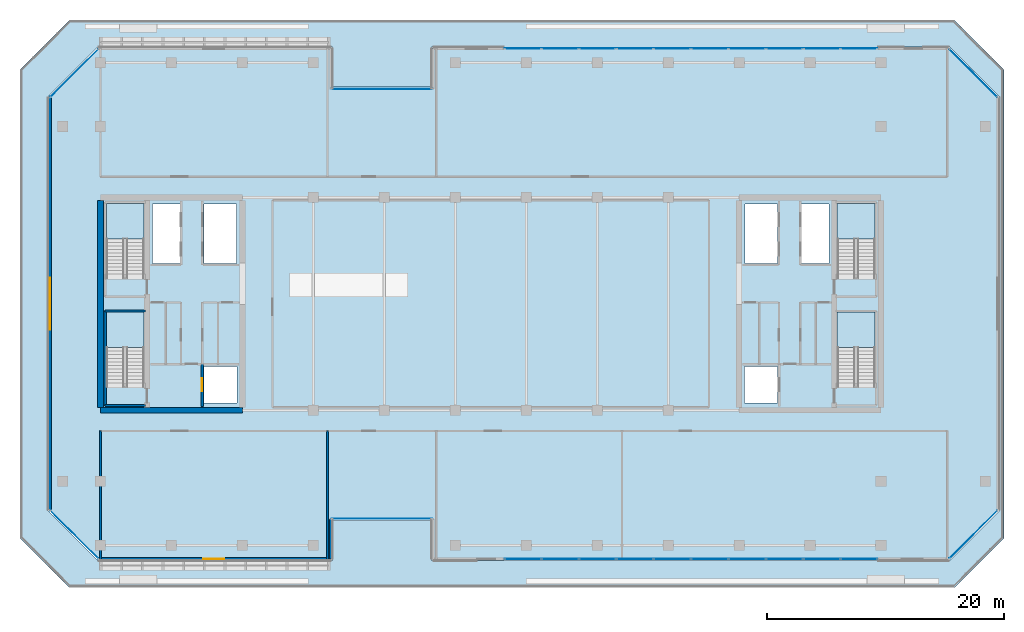
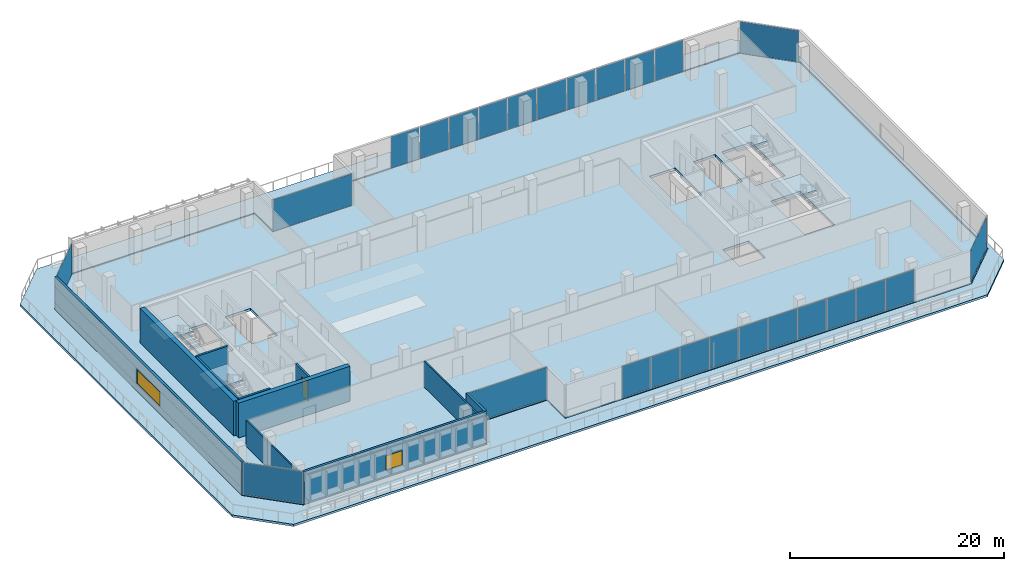
# One storey, part 19 of 30: 26 plates, 11 walls, 6 slabs, 2 windows, 1 door, 3 openings, 12 elements without a shape of their own.
"""IFC4 building model written with IfcOpenShell, lengths in metres."""

import ifcopenshell
import ifcopenshell.guid

model = None  # the IFC model being written
_history = None  # IfcOwnerHistory: only IFC2X3 demands one
_inside = {}  # id of a spatial element -> (the spatial element, [elements in it])
_under = {}  # id of a project, library or spatial element -> (it, [spatial elements below it])
_declared = {}  # id of a project -> (the project, [libraries it declares])
_typed = {}  # id of a type object -> (the type object, [elements of that type])
_made_of = {}  # id of a material, layer set ... -> (it, [elements and type objects made of it])


def new_model(schema):
    """Start an empty IFC model of exactly this schema.

    Asked for "IFC4X3", IfcOpenShell would pick the latest addendum, in which some entities
    have other attributes; the version numbers below select the first issue.
    IFC2X3 requires an IfcOwnerHistory on every rooted entity: one is made here for all.
    """
    global model, _history
    if schema == "IFC4X3":
        model = ifcopenshell.file(schema_version=(4, 3, 0, 0))
    else:
        model = ifcopenshell.file(schema=schema)
    _inside.clear()
    _under.clear()
    _declared.clear()
    _typed.clear()
    _made_of.clear()
    _history = None
    if model.schema == "IFC2X3":
        org = make("IfcOrganization", Name="unknown")
        user = make(
            "IfcPersonAndOrganization",
            ThePerson=make("IfcPerson", FamilyName="unknown"),
            TheOrganization=org,
        )
        app = make(
            "IfcApplication",
            ApplicationDeveloper=org,
            Version="unknown",
            ApplicationFullName="unknown",
            ApplicationIdentifier="unknown",
        )
        _history = make(
            "IfcOwnerHistory",
            OwningUser=user,
            OwningApplication=app,
            ChangeAction="ADDED",
            CreationDate=0,
        )
    return model


def make(cls, **values):
    """One entity of the class cls with the attributes given. An attribute that is None is left unset."""
    return model.create_entity(
        cls, **{name: value for name, value in values.items() if value is not None}
    )


def rooted(cls, **values):
    """An entity with a GlobalId (a new one), such as an element, a storey or a relation."""
    return make(cls, GlobalId=ifcopenshell.guid.new(), OwnerHistory=_history, **values)


def si_unit(unit_type, name, prefix=None):
    """IfcSIUnit, for example si_unit("LENGTHUNIT", "METRE", prefix="MILLI")."""
    return make("IfcSIUnit", UnitType=unit_type, Prefix=prefix, Name=name)


def assignment(units):
    """IfcUnitAssignment: the units of a project."""
    return None if units is None else make("IfcUnitAssignment", Units=units)


def point(xyz):
    """IfcCartesianPoint."""
    return None if xyz is None else make("IfcCartesianPoint", Coordinates=xyz)


def direction(xyz):
    """IfcDirection."""
    return None if xyz is None else make("IfcDirection", DirectionRatios=xyz)


def frame(location, z_axis=None, x_axis=None):
    """IfcAxis2Placement3D, a coordinate frame: its origin and axes. An axis left out is left unset."""
    return make(
        "IfcAxis2Placement3D",
        Location=point(location),
        Axis=direction(z_axis),
        RefDirection=direction(x_axis),
    )


def frame_2d(location, x_axis=None):
    """IfcAxis2Placement2D, a coordinate frame in the plane: its origin and x axis."""
    return make(
        "IfcAxis2Placement2D", Location=point(location), RefDirection=direction(x_axis)
    )


def origin():
    """The frame at (0, 0, 0) with its axes left unset."""
    return frame((0.0, 0.0, 0.0))


def origin_2d():
    """The frame at (0, 0) in the plane with its x axis left unset."""
    return frame_2d((0.0, 0.0))


def place(relative_to, where):
    """IfcLocalPlacement: puts the frame where relative to a parent placement (None: the world)."""
    return make(
        "IfcLocalPlacement", PlacementRelTo=relative_to, RelativePlacement=where
    )


def context(
    kind, dimensions, precision=None, world=None, true_north=None, identifier=None
):
    """IfcGeometricRepresentationContext, for example the 3D "Model" context."""
    return make(
        "IfcGeometricRepresentationContext",
        ContextIdentifier=identifier,
        ContextType=kind,
        CoordinateSpaceDimension=dimensions,
        Precision=precision,
        WorldCoordinateSystem=world,
        TrueNorth=true_north,
    )


def subcontext(parent, identifier, kind, view, scale=None):
    """IfcGeometricRepresentationSubContext, for example "Body" below "Model"."""
    return make(
        "IfcGeometricRepresentationSubContext",
        ContextIdentifier=identifier,
        ContextType=kind,
        ParentContext=parent,
        TargetScale=scale,
        TargetView=view,
    )


def project(units=None, contexts=None):
    """IfcProject with its units and contexts."""
    return rooted(
        "IfcProject",
        Name="project",
        RepresentationContexts=contexts,
        UnitsInContext=assignment(units),
    )


def spatial(cls, under=None, at=None, **own):
    """A site, building, storey or space (cls), placed at a placement, below another one or the project."""
    s = rooted(cls, ObjectPlacement=at, **own)
    if under is not None:
        _under.setdefault(under.id(), (under, []))[1].append(s)
    return s


def polyline(points):
    """IfcPolyline through the points."""
    return make("IfcPolyline", Points=[point(p) for p in points])


def profile(cls, at=None, kind="AREA", **sizes):
    """A parametric profile (cls). Its sizes go by their IFC names, for example OverallWidth=200.0."""
    return make(cls, ProfileType=kind, Position=at, **sizes)


def rectangle(**sizes):
    """IfcRectangleProfileDef."""
    return profile("IfcRectangleProfileDef", **sizes)


def outline(outer, holes=None, kind="AREA"):
    """IfcArbitraryClosedProfileDef: a profile drawn as a closed curve; with holes, ...WithVoids."""
    if holes is None:
        return make("IfcArbitraryClosedProfileDef", ProfileType=kind, OuterCurve=outer)
    return make(
        "IfcArbitraryProfileDefWithVoids",
        ProfileType=kind,
        OuterCurve=outer,
        InnerCurves=holes,
    )


def extrude(swept, where, along, depth):
    """IfcExtrudedAreaSolid: the profile swept, set in the frame where, extruded along a direction by depth."""
    return make(
        "IfcExtrudedAreaSolid",
        SweptArea=swept,
        Position=where,
        ExtrudedDirection=direction(along),
        Depth=depth,
    )


def shape(context_of_items, identifier, shape_type, items):
    """IfcShapeRepresentation: the items that make up one representation, for example the "Body"."""
    return make(
        "IfcShapeRepresentation",
        ContextOfItems=context_of_items,
        RepresentationIdentifier=identifier,
        RepresentationType=shape_type,
        Items=items,
    )


def material(Name=None, Category=None):
    """IfcMaterial."""
    return make("IfcMaterial", Name=Name, Category=Category)


def layer(
    of_material, thickness, ventilated=None, Name=None, Category=None, Priority=None
):
    """IfcMaterialLayer: one layer of a wall or slab, of a material (None: an air gap)."""
    return make(
        "IfcMaterialLayer",
        Material=of_material,
        LayerThickness=thickness,
        IsVentilated=ventilated,
        Name=Name,
        Category=Category,
        Priority=Priority,
    )


def layer_set(layers, Name=None):
    """IfcMaterialLayerSet."""
    return make("IfcMaterialLayerSet", MaterialLayers=layers, LayerSetName=Name)


def made_of(thing, what):
    """Note that an element or type object is made of a material, layer set ...; save() writes the relation."""
    if what is not None:
        _made_of.setdefault(what.id(), (what, []))[1].append(thing)
    return thing


def type_object(cls, material=None, **own):
    """A type object (cls), such as IfcWallType, which elements share."""
    return made_of(rooted(cls, **own), material)


def element(
    cls,
    number,
    at=None,
    inside=None,
    cuts=None,
    type_object=None,
    material=None,
    context=None,
    identifier="Body",
    shape_type=None,
    held_by="IfcProductDefinitionShape",
    body=None,
    shapes=None,
    **own,
):
    """One element of the class cls, such as IfcWall. Its Tag is "e" and its number.

    at: its placement. inside: the storey or other place that contains it. cuts: it is an
    opening in that element (IfcRelVoidsElement). A single representation is given by context,
    identifier, shape_type and body (its items); several are given by shapes. held_by: the class
    of the entity that holds the representations. save() writes the other relations.
    """
    e = rooted(cls, Tag="e%d" % number, ObjectPlacement=at, **own)
    if body is not None:
        shapes = [shape(context, identifier, shape_type, body)]
    if shapes is not None:
        e.Representation = make(held_by, Representations=shapes)
    if inside is not None:
        _inside.setdefault(inside.id(), (inside, []))[1].append(e)
    if cuts is not None:
        rooted(
            "IfcRelVoidsElement", RelatingBuildingElement=cuts, RelatedOpeningElement=e
        )
    if type_object is not None:
        _typed.setdefault(type_object.id(), (type_object, []))[1].append(e)
    return made_of(e, material)


def fill(opening, filler):
    """IfcRelFillsElement: the door or window that sits in an opening."""
    return rooted(
        "IfcRelFillsElement",
        RelatingOpeningElement=opening,
        RelatedBuildingElement=filler,
    )


def aggregate(whole, parts):
    """IfcRelAggregates: a whole, such as a stair, and the parts it consists of."""
    return rooted("IfcRelAggregates", RelatingObject=whole, RelatedObjects=parts)


def save(model, path):
    """Write the relations noted so far, then the file.

    IfcRelAggregates (storeys below a building ...), IfcRelContainedInSpatialStructure (elements
    in a storey), IfcRelDefinesByType, IfcRelAssociatesMaterial and IfcRelDeclares: one each for
    every whole, place, type object, material and project.
    """
    for whole, parts in _under.values():
        aggregate(whole, parts)
    for where, things in _inside.values():
        rooted(
            "IfcRelContainedInSpatialStructure",
            RelatedElements=things,
            RelatingStructure=where,
        )
    for kind, things in _typed.values():
        rooted("IfcRelDefinesByType", RelatedObjects=things, RelatingType=kind)
    for what, things in _made_of.values():
        rooted("IfcRelAssociatesMaterial", RelatedObjects=things, RelatingMaterial=what)
    for by, libraries in _declared.values():
        rooted("IfcRelDeclares", RelatingContext=by, RelatedDefinitions=libraries)
    model.write(path)


model = new_model("IFC4")

# Units and contexts
model_context = context("Model", 3, precision=1e-05, world=origin(), true_north=direction((0.0, 1.0)))
body_context = subcontext(model_context, "Body", "Model", "MODEL_VIEW")
ifc_project = project(units=[si_unit("LENGTHUNIT", "METRE"), si_unit("AREAUNIT", "SQUARE_METRE"), si_unit("VOLUMEUNIT", "CUBIC_METRE"), si_unit("PLANEANGLEUNIT", "RADIAN"), si_unit("MASSUNIT", "GRAM", prefix="KILO")], contexts=[model_context])

# Site, building, storey
site_placement = place(None, origin())
site = spatial("IfcSite", under=ifc_project, at=site_placement, CompositionType="ELEMENT")
building_placement = place(site_placement, origin())
building = spatial("IfcBuilding", under=site, at=building_placement, Name="Tanjung Sevakor Pilgrim Tower", CompositionType="ELEMENT")
storey_placement = place(building_placement, frame((0.0, 0.0, 128.0400390625)))
storey = spatial("IfcBuildingStorey", under=building, at=storey_placement, Name="L35", CompositionType="ELEMENT", Elevation=128.0400390625)

# Stair, slab
ifc_material_1 = material(Name="Concrete C40/50", Category="concrete")
stair_type = type_object("IfcStairType", Name="STAIR-ST-CR150", PredefinedType="HALF_TURN_STAIR", material=ifc_material_1)
stair_1_placement = place(storey_placement, origin())
stair_1 = element("IfcStair", 1, at=stair_1_placement, inside=storey, type_object=stair_type, Name="L35 West Core Exit Stair 1", PredefinedType="HALF_TURN_STAIR")
ifc_material_2 = material(Name="Concrete C40/50", Category="concrete")
ifc_layer_1 = layer(ifc_material_2, 0.199951171875)
ifc_layer_set_1 = layer_set([ifc_layer_1], Name="SL-LAND-200")
slab_type_1 = type_object("IfcSlabType", Name="SL-LAND-200", PredefinedType="LANDING", material=ifc_layer_set_1)
slab_1_placement = place(storey_placement, frame((0.0, 0.0, 1.780029296875)))
slab_1 = element("IfcSlab", 2, at=slab_1_placement, type_object=slab_type_1, Name="TS-W1 landing 1", PredefinedType="LANDING", context=body_context, shape_type="SweptSolid", body=[
    extrude(outline(polyline([(27.699951171875, 29.89990234375), (27.699951171875, 32.89990234375), (24.5, 32.89990234375), (24.5, 29.89990234375), (27.699951171875, 29.89990234375)])), origin(), (0.0, 0.0, 1.0), 0.199951171875),
])
aggregate(stair_1, [slab_1])

stair_2_placement = place(storey_placement, origin())
stair_2 = element("IfcStair", 3, at=stair_2_placement, inside=storey, type_object=stair_type, Name="L35 West Core Exit Stair 2", PredefinedType="HALF_TURN_STAIR")
slab_2_placement = place(storey_placement, frame((0.0, 0.0, 1.780029296875)))
slab_2 = element("IfcSlab", 4, at=slab_2_placement, type_object=slab_type_1, Name="TS-W2 landing 1", PredefinedType="LANDING", context=body_context, shape_type="SweptSolid", body=[
    extrude(outline(polyline([(27.699951171875, 39.10009765625), (27.699951171875, 42.10009765625), (24.5, 42.10009765625), (24.5, 39.10009765625), (27.699951171875, 39.10009765625)])), origin(), (0.0, 0.0, 1.0), 0.199951171875),
])
aggregate(stair_2, [slab_2])

stair_3_placement = place(storey_placement, origin())
stair_3 = element("IfcStair", 5, at=stair_3_placement, inside=storey, type_object=stair_type, Name="L35 East Core Exit Stair 1", PredefinedType="HALF_TURN_STAIR")
slab_3_placement = place(storey_placement, frame((0.0, 0.0, 1.780029296875)))
slab_3 = element("IfcSlab", 6, at=slab_3_placement, type_object=slab_type_1, Name="TS-E1 landing 1", PredefinedType="LANDING", context=body_context, shape_type="SweptSolid", body=[
    extrude(outline(polyline([(89.5, 29.89990234375), (89.5, 32.89990234375), (86.300048828125, 32.89990234375), (86.300048828125, 29.89990234375), (89.5, 29.89990234375)])), origin(), (0.0, 0.0, 1.0), 0.199951171875),
])
aggregate(stair_3, [slab_3])

stair_4_placement = place(storey_placement, origin())
stair_4 = element("IfcStair", 7, at=stair_4_placement, inside=storey, type_object=stair_type, Name="L35 East Core Exit Stair 2", PredefinedType="HALF_TURN_STAIR")
slab_4_placement = place(storey_placement, frame((0.0, 0.0, 1.780029296875)))
slab_4 = element("IfcSlab", 8, at=slab_4_placement, type_object=slab_type_1, Name="TS-E2 landing 1", PredefinedType="LANDING", context=body_context, shape_type="SweptSolid", body=[
    extrude(outline(polyline([(89.5, 39.10009765625), (89.5, 42.10009765625), (86.300048828125, 42.10009765625), (86.300048828125, 39.10009765625), (89.5, 39.10009765625)])), origin(), (0.0, 0.0, 1.0), 0.199951171875),
])
aggregate(stair_4, [slab_4])

# Slabs
ifc_material_3 = material(Name="Concrete C40/50", Category="concrete")
ifc_layer_2 = layer(ifc_material_3, 0.280029296875)
ifc_layer_set_2 = layer_set([ifc_layer_2], Name="SL-SKY-280")
slab_type_2 = type_object("IfcSlabType", Name="SL-SKY-280", PredefinedType="FLOOR", material=ifc_layer_set_2)
slab_5_placement = place(storey_placement, frame((0.0, 0.0, -0.280029296875)))
element("IfcSlab", 9, at=slab_5_placement, inside=storey, type_object=slab_type_2, Name="L35 Floor Slab MAIN", PredefinedType="FLOOR", context=body_context, shape_type="SweptSolid", body=[
    extrude(outline(polyline([(23.846923828125, 11.97998046875), (43.52001953125, 11.97998046875), (43.52001953125, 15.3798828125), (52.080078125, 15.3798828125), (52.080078125, 11.97998046875), (95.753173828125, 11.97998046875), (99.919921875, 16.14697265625), (99.919921875, 51.052978515625), (95.753173828125, 55.219970703125), (52.080078125, 55.219970703125), (52.080078125, 51.820068359375), (43.52001953125, 51.820068359375), (43.52001953125, 55.219970703125), (23.846923828125, 55.219970703125), (19.679931640625, 51.052978515625), (19.679931640625, 16.14697265625), (23.846923828125, 11.97998046875)]), holes=[polyline([(27.699951171875, 26.60009765625), (27.699951171875, 32.89990234375), (24.5, 32.89990234375), (24.5, 26.60009765625), (27.699951171875, 26.60009765625)]), polyline([(27.699951171875, 35.800048828125), (27.699951171875, 42.10009765625), (24.5, 42.10009765625), (24.5, 35.800048828125), (27.699951171875, 35.800048828125)]), polyline([(89.5, 26.60009765625), (89.5, 32.89990234375), (86.300048828125, 32.89990234375), (86.300048828125, 26.60009765625), (89.5, 26.60009765625)]), polyline([(89.5, 35.800048828125), (89.5, 42.10009765625), (86.300048828125, 42.10009765625), (86.300048828125, 35.800048828125), (89.5, 35.800048828125)]), polyline([(32.75, 25.199951171875), (35.550048828125, 25.199951171875), (35.550048828125, 28.300048828125), (32.75, 28.300048828125), (32.75, 25.199951171875)]), polyline([(28.39990234375, 37.0), (30.75, 37.0), (30.75, 42.050048828125), (28.39990234375, 42.050048828125), (28.39990234375, 37.0)]), polyline([(32.75, 37.0), (35.5, 37.0), (35.5, 42.050048828125), (32.75, 42.050048828125), (32.75, 37.0)]), polyline([(78.449951171875, 25.199951171875), (81.25, 25.199951171875), (81.25, 28.300048828125), (78.449951171875, 28.300048828125), (78.449951171875, 25.199951171875)]), polyline([(83.25, 37.0), (85.60009765625, 37.0), (85.60009765625, 42.050048828125), (83.25, 42.050048828125), (83.25, 37.0)]), polyline([(78.5, 37.0), (81.25, 37.0), (81.25, 42.050048828125), (78.5, 42.050048828125), (78.5, 37.0)])]), origin(), (0.0, 0.0, 1.0), 0.280029296875),
])
ifc_material_4 = material(Name="Concrete C40/50", Category="concrete")
ifc_layer_3 = layer(ifc_material_4, 0.239990234375)
ifc_layer_set_3 = layer_set([ifc_layer_3], Name="SL-TER-240")
slab_type_3 = type_object("IfcSlabType", Name="SL-TER-240", PredefinedType="FLOOR", material=ifc_layer_set_3)
slab_6_placement = place(storey_placement, frame((0.0, 0.0, -0.239990234375)))
element("IfcSlab", 10, at=slab_6_placement, inside=storey, type_object=slab_type_3, Name="L35 Setback Sky Terrace Ring", PredefinedType="FLOOR", context=body_context, shape_type="SweptSolid", body=[
    extrude(outline(polyline([(21.39990234375, 9.60009765625), (96.199951171875, 9.60009765625), (100.39990234375, 13.800048828125), (100.39990234375, 53.39990234375), (96.199951171875, 57.60009765625), (21.39990234375, 57.60009765625), (17.199951171875, 53.39990234375), (17.199951171875, 13.800048828125), (21.39990234375, 9.60009765625)]), holes=[polyline([(23.788330078125, 11.8798828125), (43.6201171875, 11.8798828125), (43.6201171875, 15.280029296875), (51.97998046875, 15.280029296875), (51.97998046875, 11.8798828125), (95.811767578125, 11.8798828125), (100.02001953125, 16.08837890625), (100.02001953125, 51.11181640625), (95.811767578125, 55.320068359375), (51.97998046875, 55.320068359375), (51.97998046875, 51.919921875), (43.6201171875, 51.919921875), (43.6201171875, 55.320068359375), (23.788330078125, 55.320068359375), (19.580078125, 51.11181640625), (19.580078125, 16.08837890625), (23.788330078125, 11.8798828125)])]), origin(), (0.0, 0.0, 1.0), 0.239990234375),
])

# Curtain wall, plate
ifc_material_5 = material(Name="Aluminium 6063-T6 and Low-E Glass", Category="aluminium")
ifc_layer_4 = layer(ifc_material_5, 0.179931640625)
ifc_layer_set_4 = layer_set([ifc_layer_4], Name="CW-SYS-CLEFT")
curtain_wall_type_1 = type_object("IfcCurtainWallType", Name="CW-SYS-CLEFT", PredefinedType="NOTDEFINED", material=ifc_layer_set_4)
curtain_wall_1_placement = place(storey_placement, origin())
curtain_wall_1 = element("IfcCurtainWall", 11, at=curtain_wall_1_placement, inside=storey, type_object=curtain_wall_type_1, Name="L35 Curtain Wall CW-CLF-L35-2", PredefinedType="NOTDEFINED")
ifc_material_6 = material(Name="Laminated Low-E Double Glazing", Category="glass")
ifc_layer_5 = layer(ifc_material_6, 0.028076171875)
ifc_layer_set_5 = layer_set([ifc_layer_5], Name="TYPE-CWP-GLZ1")
plate_type_1 = type_object("IfcPlateType", Name="TYPE-CWP-GLZ1", PredefinedType="CURTAIN_PANEL", material=ifc_layer_set_5)
plate_1_placement = place(storey_placement, frame((47.800048828125, 15.425048828125, 0.06494140625), z_axis=(0.0, 0.0, 1.0), x_axis=(1.0, 0.0, 0.0)))
plate_1 = element("IfcPlate", 12, at=plate_1_placement, type_object=plate_type_1, Name="CW-CLF panel 1.1", PredefinedType="CURTAIN_PANEL", context=body_context, shape_type="SweptSolid", body=[
    extrude(rectangle(XDim=8.5, YDim=0.028076171875, at=origin_2d()), origin(), (0.0, 0.0, 1.0), 3.610107421875),
])
aggregate(curtain_wall_1, [plate_1])

ifc_material_7 = material(Name="Aluminium 6063-T6 and Low-E Glass", Category="aluminium")
ifc_layer_6 = layer(ifc_material_7, 0.179931640625)
ifc_layer_set_6 = layer_set([ifc_layer_6], Name="CW-SYS-CHAM")
curtain_wall_type_2 = type_object("IfcCurtainWallType", Name="CW-SYS-CHAM", PredefinedType="NOTDEFINED", material=ifc_layer_set_6)
curtain_wall_2_placement = place(storey_placement, origin())
curtain_wall_2 = element("IfcCurtainWall", 13, at=curtain_wall_2_placement, inside=storey, type_object=curtain_wall_type_2, Name="L35 Curtain Wall CW-CHM-L35-MAIN-5", PredefinedType="NOTDEFINED")
plate_2_placement = place(storey_placement, frame((97.8115234375, 14.08837890625, 0.06494140625), z_axis=(0.0, 0.0, 1.0), x_axis=(0.707106781187, 0.707106781187, 0.0)))
plate_2 = element("IfcPlate", 14, at=plate_2_placement, type_object=plate_type_1, Name="CW-CHM panel 1.1", PredefinedType="CURTAIN_PANEL", context=body_context, shape_type="SweptSolid", body=[
    extrude(rectangle(XDim=5.7060546875, YDim=0.028076171875, at=origin_2d()), origin(), (0.0, 0.0, 1.0), 3.610107421875),
])
aggregate(curtain_wall_2, [plate_2])

curtain_wall_3_placement = place(storey_placement, origin())
curtain_wall_3 = element("IfcCurtainWall", 15, at=curtain_wall_3_placement, inside=storey, type_object=curtain_wall_type_2, Name="L35 Curtain Wall CW-CHM-L35-MAIN-7", PredefinedType="NOTDEFINED")
plate_3_placement = place(storey_placement, frame((97.8115234375, 53.111572265625, 0.06494140625), z_axis=(0.0, 0.0, 1.0), x_axis=(-0.707106781187, 0.707106781187, 0.0)))
plate_3 = element("IfcPlate", 16, at=plate_3_placement, type_object=plate_type_1, Name="CW-CHM panel 1.1", PredefinedType="CURTAIN_PANEL", context=body_context, shape_type="SweptSolid", body=[
    extrude(rectangle(XDim=5.7060546875, YDim=0.028076171875, at=origin_2d()), origin(), (0.0, 0.0, 1.0), 3.610107421875),
])
aggregate(curtain_wall_3, [plate_3])

curtain_wall_4_placement = place(storey_placement, origin())
curtain_wall_4 = element("IfcCurtainWall", 17, at=curtain_wall_4_placement, inside=storey, type_object=curtain_wall_type_1, Name="L35 Curtain Wall CW-CLF-L35-10", PredefinedType="NOTDEFINED")
plate_4_placement = place(storey_placement, frame((47.800048828125, 51.77490234375, 0.06494140625), z_axis=(0.0, 0.0, 1.0), x_axis=(-1.0, 0.0, 0.0)))
plate_4 = element("IfcPlate", 18, at=plate_4_placement, type_object=plate_type_1, Name="CW-CLF panel 1.1", PredefinedType="CURTAIN_PANEL", context=body_context, shape_type="SweptSolid", body=[
    extrude(rectangle(XDim=8.5, YDim=0.028076171875, at=origin_2d()), origin(), (0.0, 0.0, 1.0), 3.610107421875),
])
aggregate(curtain_wall_4, [plate_4])

curtain_wall_5_placement = place(storey_placement, origin())
curtain_wall_5 = element("IfcCurtainWall", 19, at=curtain_wall_5_placement, inside=storey, type_object=curtain_wall_type_2, Name="L35 Curtain Wall CW-CHM-L35-MAIN-13", PredefinedType="NOTDEFINED")
plate_5_placement = place(storey_placement, frame((21.788330078125, 53.111572265625, 0.06494140625), z_axis=(0.0, 0.0, 1.0), x_axis=(-0.707106781187, -0.707106781187, 0.0)))
plate_5 = element("IfcPlate", 20, at=plate_5_placement, type_object=plate_type_1, Name="CW-CHM panel 1.1", PredefinedType="CURTAIN_PANEL", context=body_context, shape_type="SweptSolid", body=[
    extrude(rectangle(XDim=5.7060546875, YDim=0.028076171875, at=origin_2d()), origin(), (0.0, 0.0, 1.0), 3.610107421875),
])
aggregate(curtain_wall_5, [plate_5])

curtain_wall_6_placement = place(storey_placement, origin())
curtain_wall_6 = element("IfcCurtainWall", 21, at=curtain_wall_6_placement, inside=storey, type_object=curtain_wall_type_2, Name="L35 Curtain Wall CW-CHM-L35-MAIN-15", PredefinedType="NOTDEFINED")
plate_6_placement = place(storey_placement, frame((21.788330078125, 14.08837890625, 0.06494140625), z_axis=(0.0, 0.0, 1.0), x_axis=(0.707106781187, -0.707106781187, 0.0)))
plate_6 = element("IfcPlate", 22, at=plate_6_placement, type_object=plate_type_1, Name="CW-CHM panel 1.1", PredefinedType="CURTAIN_PANEL", context=body_context, shape_type="SweptSolid", body=[
    extrude(rectangle(XDim=5.7060546875, YDim=0.028076171875, at=origin_2d()), origin(), (0.0, 0.0, 1.0), 3.610107421875),
])
aggregate(curtain_wall_6, [plate_6])

# Curtain wall, plates
ifc_material_8 = material(Name="Aluminium 6063-T6 and Low-E Glass", Category="aluminium")
ifc_layer_7 = layer(ifc_material_8, 0.199951171875)
ifc_layer_set_7 = layer_set([ifc_layer_7], Name="CW-SYS-SKY")
curtain_wall_type_3 = type_object("IfcCurtainWallType", Name="CW-SYS-SKY", PredefinedType="NOTDEFINED", material=ifc_layer_set_7)
curtain_wall_7_placement = place(storey_placement, origin())
curtain_wall_7 = element("IfcCurtainWall", 23, at=curtain_wall_7_placement, inside=storey, type_object=curtain_wall_type_3, Name="L35 Curtain Wall CW-SKY-L35-S", PredefinedType="NOTDEFINED")
ifc_material_9 = material(Name="Solar-Control Low-E Acoustic Glazing", Category="glass")
ifc_layer_8 = layer(ifc_material_9, 0.031982421875)
ifc_layer_set_8 = layer_set([ifc_layer_8], Name="TYPE-CWP-GLZ2")
plate_type_2 = type_object("IfcPlateType", Name="TYPE-CWP-GLZ2", PredefinedType="CURTAIN_PANEL", material=ifc_layer_set_8)
plate_7_placement = place(storey_placement, frame((59.724853515625, 12.02490234375, 0.07470703125), z_axis=(0.0, 0.0, 1.0), x_axis=(1.0, 0.0, 0.0)))
plate_7 = element("IfcPlate", 24, at=plate_7_placement, type_object=plate_type_2, Name="CW-SKY panel 1.1", PredefinedType="CURTAIN_PANEL", context=body_context, shape_type="SweptSolid", body=[
    extrude(rectangle(XDim=3.0498046875, YDim=0.031982421875, at=origin_2d()), origin(), (0.0, 0.0, 1.0), 3.590087890625),
])
plate_8_placement = place(storey_placement, frame((62.868408203125, 12.02490234375, 0.07470703125), z_axis=(0.0, 0.0, 1.0), x_axis=(1.0, 0.0, 0.0)))
plate_8 = element("IfcPlate", 25, at=plate_8_placement, type_object=plate_type_2, Name="CW-SKY panel 2.1", PredefinedType="CURTAIN_PANEL", context=body_context, shape_type="SweptSolid", body=[
    extrude(rectangle(XDim=3.08740234375, YDim=0.031982421875, at=origin_2d()), origin(), (0.0, 0.0, 1.0), 3.590087890625),
])
plate_9_placement = place(storey_placement, frame((66.03076171875, 12.02490234375, 0.07470703125), z_axis=(0.0, 0.0, 1.0), x_axis=(1.0, 0.0, 0.0)))
plate_9 = element("IfcPlate", 26, at=plate_9_placement, type_object=plate_type_2, Name="CW-SKY panel 3.1", PredefinedType="CURTAIN_PANEL", context=body_context, shape_type="SweptSolid", body=[
    extrude(rectangle(XDim=3.08740234375, YDim=0.031982421875, at=origin_2d()), origin(), (0.0, 0.0, 1.0), 3.590087890625),
])
plate_10_placement = place(storey_placement, frame((69.193115234375, 12.02490234375, 0.07470703125), z_axis=(0.0, 0.0, 1.0), x_axis=(1.0, 0.0, 0.0)))
plate_10 = element("IfcPlate", 27, at=plate_10_placement, type_object=plate_type_2, Name="CW-SKY panel 4.1", PredefinedType="CURTAIN_PANEL", context=body_context, shape_type="SweptSolid", body=[
    extrude(rectangle(XDim=3.08740234375, YDim=0.031982421875, at=origin_2d()), origin(), (0.0, 0.0, 1.0), 3.590087890625),
])
plate_11_placement = place(storey_placement, frame((72.35546875, 12.02490234375, 0.07470703125), z_axis=(0.0, 0.0, 1.0), x_axis=(1.0, 0.0, 0.0)))
plate_11 = element("IfcPlate", 28, at=plate_11_placement, type_object=plate_type_2, Name="CW-SKY panel 5.1", PredefinedType="CURTAIN_PANEL", context=body_context, shape_type="SweptSolid", body=[
    extrude(rectangle(XDim=3.08740234375, YDim=0.031982421875, at=origin_2d()), origin(), (0.0, 0.0, 1.0), 3.590087890625),
])
plate_12_placement = place(storey_placement, frame((75.517822265625, 12.02490234375, 0.07470703125), z_axis=(0.0, 0.0, 1.0), x_axis=(1.0, 0.0, 0.0)))
plate_12 = element("IfcPlate", 29, at=plate_12_placement, type_object=plate_type_2, Name="CW-SKY panel 6.1", PredefinedType="CURTAIN_PANEL", context=body_context, shape_type="SweptSolid", body=[
    extrude(rectangle(XDim=3.08740234375, YDim=0.031982421875, at=origin_2d()), origin(), (0.0, 0.0, 1.0), 3.590087890625),
])
plate_13_placement = place(storey_placement, frame((78.68017578125, 12.02490234375, 0.07470703125), z_axis=(0.0, 0.0, 1.0), x_axis=(1.0, 0.0, 0.0)))
plate_13 = element("IfcPlate", 30, at=plate_13_placement, type_object=plate_type_2, Name="CW-SKY panel 7.1", PredefinedType="CURTAIN_PANEL", context=body_context, shape_type="SweptSolid", body=[
    extrude(rectangle(XDim=3.08740234375, YDim=0.031982421875, at=origin_2d()), origin(), (0.0, 0.0, 1.0), 3.590087890625),
])
plate_14_placement = place(storey_placement, frame((81.84228515625, 12.02490234375, 0.07470703125), z_axis=(0.0, 0.0, 1.0), x_axis=(1.0, 0.0, 0.0)))
plate_14 = element("IfcPlate", 31, at=plate_14_placement, type_object=plate_type_2, Name="CW-SKY panel 8.1", PredefinedType="CURTAIN_PANEL", context=body_context, shape_type="SweptSolid", body=[
    extrude(rectangle(XDim=3.08740234375, YDim=0.031982421875, at=origin_2d()), origin(), (0.0, 0.0, 1.0), 3.590087890625),
])
plate_15_placement = place(storey_placement, frame((85.004638671875, 12.02490234375, 0.07470703125), z_axis=(0.0, 0.0, 1.0), x_axis=(1.0, 0.0, 0.0)))
plate_15 = element("IfcPlate", 32, at=plate_15_placement, type_object=plate_type_2, Name="CW-SKY panel 9.1", PredefinedType="CURTAIN_PANEL", context=body_context, shape_type="SweptSolid", body=[
    extrude(rectangle(XDim=3.08740234375, YDim=0.031982421875, at=origin_2d()), origin(), (0.0, 0.0, 1.0), 3.590087890625),
])
plate_16_placement = place(storey_placement, frame((88.148193359375, 12.02490234375, 0.07470703125), z_axis=(0.0, 0.0, 1.0), x_axis=(1.0, 0.0, 0.0)))
plate_16 = element("IfcPlate", 33, at=plate_16_placement, type_object=plate_type_2, Name="CW-SKY panel 10.1", PredefinedType="CURTAIN_PANEL", context=body_context, shape_type="SweptSolid", body=[
    extrude(rectangle(XDim=3.0498046875, YDim=0.031982421875, at=origin_2d()), origin(), (0.0, 0.0, 1.0), 3.590087890625),
])
aggregate(curtain_wall_7, [plate_7, plate_8, plate_9, plate_10, plate_11, plate_12, plate_13, plate_14, plate_15, plate_16])

curtain_wall_8_placement = place(storey_placement, origin())
curtain_wall_8 = element("IfcCurtainWall", 34, at=curtain_wall_8_placement, inside=storey, type_object=curtain_wall_type_3, Name="L35 Curtain Wall CW-SKY-L35-N", PredefinedType="NOTDEFINED")
plate_17_placement = place(storey_placement, frame((88.148193359375, 55.175048828125, 0.07470703125), z_axis=(0.0, 0.0, 1.0), x_axis=(-1.0, 0.0, 0.0)))
plate_17 = element("IfcPlate", 35, at=plate_17_placement, type_object=plate_type_2, Name="CW-SKY panel 1.1", PredefinedType="CURTAIN_PANEL", context=body_context, shape_type="SweptSolid", body=[
    extrude(rectangle(XDim=3.0498046875, YDim=0.031982421875, at=origin_2d()), origin(), (0.0, 0.0, 1.0), 3.590087890625),
])
plate_18_placement = place(storey_placement, frame((85.004638671875, 55.175048828125, 0.07470703125), z_axis=(0.0, 0.0, 1.0), x_axis=(-1.0, 0.0, 0.0)))
plate_18 = element("IfcPlate", 36, at=plate_18_placement, type_object=plate_type_2, Name="CW-SKY panel 2.1", PredefinedType="CURTAIN_PANEL", context=body_context, shape_type="SweptSolid", body=[
    extrude(rectangle(XDim=3.08740234375, YDim=0.031982421875, at=origin_2d()), origin(), (0.0, 0.0, 1.0), 3.590087890625),
])
plate_19_placement = place(storey_placement, frame((81.84228515625, 55.175048828125, 0.07470703125), z_axis=(0.0, 0.0, 1.0), x_axis=(-1.0, 0.0, 0.0)))
plate_19 = element("IfcPlate", 37, at=plate_19_placement, type_object=plate_type_2, Name="CW-SKY panel 3.1", PredefinedType="CURTAIN_PANEL", context=body_context, shape_type="SweptSolid", body=[
    extrude(rectangle(XDim=3.08740234375, YDim=0.031982421875, at=origin_2d()), origin(), (0.0, 0.0, 1.0), 3.590087890625),
])
plate_20_placement = place(storey_placement, frame((78.68017578125, 55.175048828125, 0.07470703125), z_axis=(0.0, 0.0, 1.0), x_axis=(-1.0, 0.0, 0.0)))
plate_20 = element("IfcPlate", 38, at=plate_20_placement, type_object=plate_type_2, Name="CW-SKY panel 4.1", PredefinedType="CURTAIN_PANEL", context=body_context, shape_type="SweptSolid", body=[
    extrude(rectangle(XDim=3.08740234375, YDim=0.031982421875, at=origin_2d()), origin(), (0.0, 0.0, 1.0), 3.590087890625),
])
plate_21_placement = place(storey_placement, frame((75.517822265625, 55.175048828125, 0.07470703125), z_axis=(0.0, 0.0, 1.0), x_axis=(-1.0, 0.0, 0.0)))
plate_21 = element("IfcPlate", 39, at=plate_21_placement, type_object=plate_type_2, Name="CW-SKY panel 5.1", PredefinedType="CURTAIN_PANEL", context=body_context, shape_type="SweptSolid", body=[
    extrude(rectangle(XDim=3.08740234375, YDim=0.031982421875, at=origin_2d()), origin(), (0.0, 0.0, 1.0), 3.590087890625),
])
plate_22_placement = place(storey_placement, frame((72.35546875, 55.175048828125, 0.07470703125), z_axis=(0.0, 0.0, 1.0), x_axis=(-1.0, 0.0, 0.0)))
plate_22 = element("IfcPlate", 40, at=plate_22_placement, type_object=plate_type_2, Name="CW-SKY panel 6.1", PredefinedType="CURTAIN_PANEL", context=body_context, shape_type="SweptSolid", body=[
    extrude(rectangle(XDim=3.08740234375, YDim=0.031982421875, at=origin_2d()), origin(), (0.0, 0.0, 1.0), 3.590087890625),
])
plate_23_placement = place(storey_placement, frame((69.193115234375, 55.175048828125, 0.07470703125), z_axis=(0.0, 0.0, 1.0), x_axis=(-1.0, 0.0, 0.0)))
plate_23 = element("IfcPlate", 41, at=plate_23_placement, type_object=plate_type_2, Name="CW-SKY panel 7.1", PredefinedType="CURTAIN_PANEL", context=body_context, shape_type="SweptSolid", body=[
    extrude(rectangle(XDim=3.08740234375, YDim=0.031982421875, at=origin_2d()), origin(), (0.0, 0.0, 1.0), 3.590087890625),
])
plate_24_placement = place(storey_placement, frame((66.03076171875, 55.175048828125, 0.07470703125), z_axis=(0.0, 0.0, 1.0), x_axis=(-1.0, 0.0, 0.0)))
plate_24 = element("IfcPlate", 42, at=plate_24_placement, type_object=plate_type_2, Name="CW-SKY panel 8.1", PredefinedType="CURTAIN_PANEL", context=body_context, shape_type="SweptSolid", body=[
    extrude(rectangle(XDim=3.08740234375, YDim=0.031982421875, at=origin_2d()), origin(), (0.0, 0.0, 1.0), 3.590087890625),
])
plate_25_placement = place(storey_placement, frame((62.868408203125, 55.175048828125, 0.07470703125), z_axis=(0.0, 0.0, 1.0), x_axis=(-1.0, 0.0, 0.0)))
plate_25 = element("IfcPlate", 43, at=plate_25_placement, type_object=plate_type_2, Name="CW-SKY panel 9.1", PredefinedType="CURTAIN_PANEL", context=body_context, shape_type="SweptSolid", body=[
    extrude(rectangle(XDim=3.08740234375, YDim=0.031982421875, at=origin_2d()), origin(), (0.0, 0.0, 1.0), 3.590087890625),
])
plate_26_placement = place(storey_placement, frame((59.724853515625, 55.175048828125, 0.07470703125), z_axis=(0.0, 0.0, 1.0), x_axis=(-1.0, 0.0, 0.0)))
plate_26 = element("IfcPlate", 44, at=plate_26_placement, type_object=plate_type_2, Name="CW-SKY panel 10.1", PredefinedType="CURTAIN_PANEL", context=body_context, shape_type="SweptSolid", body=[
    extrude(rectangle(XDim=3.0498046875, YDim=0.031982421875, at=origin_2d()), origin(), (0.0, 0.0, 1.0), 3.590087890625),
])
aggregate(curtain_wall_8, [plate_17, plate_18, plate_19, plate_20, plate_21, plate_22, plate_23, plate_24, plate_25, plate_26])

# Walls
ifc_material_10 = material(Name="Concrete C60/75", Category="concrete")
ifc_layer_9 = layer(ifc_material_10, 0.5)
ifc_layer_set_9 = layer_set([ifc_layer_9], Name="WALL-CW-500")
wall_type_1 = type_object("IfcWallType", Name="WALL-CW-500", PredefinedType="SHEAR", material=ifc_layer_set_9)
wall_1_placement = place(storey_placement, frame((24.0, 24.60009765625, 0.0), z_axis=(0.0, 0.0, 1.0), x_axis=(1.0, 0.0, 0.0)))
element("IfcWall", 45, at=wall_1_placement, inside=storey, type_object=wall_type_1, Name="L35 W Core South Shear Wall", PredefinedType="SHEAR", context=body_context, shape_type="SweptSolid", body=[
    extrude(rectangle(XDim=12.0, YDim=0.5, at=frame_2d((6.0, 0.0))), origin(), (0.0, 0.0, 1.0), 3.9599609375),
])
wall_2_placement = place(storey_placement, frame((24.0, 24.85009765625, 0.0), z_axis=(0.0, 0.0, 1.0), x_axis=(0.0, 1.0, 0.0)))
element("IfcWall", 46, at=wall_2_placement, inside=storey, type_object=wall_type_1, Name="L35 W Core Outer Shear Wall", PredefinedType="SHEAR", context=body_context, shape_type="SweptSolid", body=[
    extrude(rectangle(XDim=17.5, YDim=0.5, at=frame_2d((8.75, 0.0))), origin(), (0.0, 0.0, 1.0), 3.9599609375),
])
ifc_material_11 = material(Name="Concrete C40/50", Category="concrete")
ifc_layer_10 = layer(ifc_material_11, 0.14990234375)
ifc_layer_set_10 = layer_set([ifc_layer_10], Name="WT-COMP-150")
wall_type_2 = type_object("IfcWallType", Name="WT-COMP-150", PredefinedType="SOLIDWALL", material=ifc_layer_set_10)
wall_3_placement = place(storey_placement, frame((24.0, 12.0, 0.0), z_axis=(0.0, 0.0, 1.0), x_axis=(0.0, 1.0, 0.0)))
element("IfcWall", 47, at=wall_3_placement, inside=storey, type_object=wall_type_2, Name="L35 Partition IW-L35-033", PredefinedType="SOLIDWALL", context=body_context, shape_type="SweptSolid", body=[
    extrude(rectangle(XDim=10.85009765625, YDim=0.14990234375, at=frame_2d((5.425048828125, 0.0))), origin(), (0.0, 0.0, 1.0), 2.9599609375),
])

# Wall, opening, window
ifc_material_12 = material(Name="Precast concrete C45/55", Category="concrete")
ifc_layer_11 = layer(ifc_material_12, 0.25)
ifc_layer_set_11 = layer_set([ifc_layer_11], Name="WT-EW-STN3")
wall_type_3 = type_object("IfcWallType", Name="WT-EW-STN3", PredefinedType="SOLIDWALL", material=ifc_layer_set_11)
wall_4_placement = place(storey_placement, frame((23.851806640625, 12.02490234375, 0.0), z_axis=(0.0, 0.0, 1.0), x_axis=(1.0, 0.0, 0.0)))
wall_4 = element("IfcWall", 48, at=wall_4_placement, inside=storey, type_object=wall_type_3, Name="L35 MAIN Exterior Wall 1", PredefinedType="SOLIDWALL", context=body_context, shape_type="SweptSolid", body=[
    extrude(rectangle(XDim=19.623291015625, YDim=0.25, at=frame_2d((9.8115234375, 0.0))), origin(), (0.0, 0.0, 1.0), 3.739990234375),
])
opening_1_placement = place(wall_4_placement, frame((8.838134765625, 0.0, 0.780029296875)))
opening_1 = element("IfcOpeningElement", 49, at=opening_1_placement, cuts=wall_4, Name="Opening WN-Z3-1660", PredefinedType="OPENING", context=body_context, shape_type="SweptSolid", body=[
    extrude(rectangle(XDim=1.800048828125, YDim=1.659912109375, at=frame_2d((0.89990234375, 0.830078125))), frame((0.0, 0.135009765625, 0.0), z_axis=(0.0, -1.0, 0.0), x_axis=(1.0, 0.0, 0.0)), (0.0, 0.0, 1.0), 0.27001953125),
])
ifc_material_13 = material(Name="Thermally Broken Aluminium and Low-E Glass", Category="aluminium")
window_type_1 = type_object("IfcWindowType", Name="WTYP-WN-Z3-1660", PartitioningType="DOUBLE_PANEL_VERTICAL", PredefinedType="WINDOW", material=ifc_material_13)
window_1_placement = place(opening_1_placement, origin())
window_1 = element("IfcWindow", 50, at=window_1_placement, inside=storey, type_object=window_type_1, Name="L35 Facade Window 01", OverallHeight=1.659912109375, OverallWidth=1.800048828125, PartitioningType="SINGLE_PANEL", PredefinedType="WINDOW", context=body_context, shape_type="SweptSolid", body=[
    extrude(rectangle(XDim=1.800048828125, YDim=1.659912109375, at=frame_2d((0.89990234375, 0.830078125))), frame((0.0, 0.030029296875, 0.0), z_axis=(0.0, -1.0, 0.0), x_axis=(1.0, 0.0, 0.0)), (0.0, 0.0, 1.0), 0.06005859375),
])
fill(opening_1, window_1)

# Wall
wall_5_placement = place(storey_placement, frame((43.47509765625, 12.02490234375, 0.0), z_axis=(0.0, 0.0, 1.0), x_axis=(0.0, 1.0, 0.0)))
element("IfcWall", 51, at=wall_5_placement, inside=storey, type_object=wall_type_3, Name="L35 MAIN Exterior Wall 2", PredefinedType="SOLIDWALL", context=body_context, shape_type="SweptSolid", body=[
    extrude(rectangle(XDim=3.400146484375, YDim=0.25, at=frame_2d((1.7001953125, 0.0))), origin(), (0.0, 0.0, 1.0), 3.739990234375),
])

# Wall, opening, window
wall_6_placement = place(storey_placement, frame((19.72509765625, 51.048095703125, 0.0), z_axis=(0.0, 0.0, 1.0), x_axis=(0.0, -1.0, 0.0)))
wall_6 = element("IfcWall", 52, at=wall_6_placement, inside=storey, type_object=wall_type_3, Name="L35 MAIN Exterior Wall 15", PredefinedType="SOLIDWALL", context=body_context, shape_type="SweptSolid", body=[
    extrude(rectangle(XDim=34.896240234375, YDim=0.25, at=frame_2d((17.4482421875, 0.0))), origin(), (0.0, 0.0, 1.0), 3.739990234375),
])
opening_2_placement = place(wall_6_placement, frame((15.248291015625, 0.0, 0.780029296875)))
opening_2 = element("IfcOpeningElement", 53, at=opening_2_placement, cuts=wall_6, Name="Opening WN-ENDW-1660", PredefinedType="OPENING", context=body_context, shape_type="SweptSolid", body=[
    extrude(rectangle(XDim=4.39990234375, YDim=1.659912109375, at=frame_2d((2.199951171875, 0.830078125))), frame((0.0, 0.135009765625, 0.0), z_axis=(0.0, -1.0, 0.0), x_axis=(1.0, 0.0, 0.0)), (0.0, 0.0, 1.0), 0.27001953125),
])
ifc_material_14 = material(Name="Thermally Broken Aluminium and Low-E Glass", Category="aluminium")
window_type_2 = type_object("IfcWindowType", Name="WTYP-WN-ENDW-1660", PartitioningType="DOUBLE_PANEL_VERTICAL", PredefinedType="WINDOW", material=ifc_material_14)
window_2_placement = place(opening_2_placement, origin())
window_2 = element("IfcWindow", 54, at=window_2_placement, inside=storey, type_object=window_type_2, Name="L35 Facade Window 01", OverallHeight=1.659912109375, OverallWidth=4.39990234375, PartitioningType="SINGLE_PANEL", PredefinedType="WINDOW", context=body_context, shape_type="SweptSolid", body=[
    extrude(rectangle(XDim=4.39990234375, YDim=1.659912109375, at=frame_2d((2.199951171875, 0.830078125))), frame((0.0, 0.030029296875, 0.0), z_axis=(0.0, -1.0, 0.0), x_axis=(1.0, 0.0, 0.0)), (0.0, 0.0, 1.0), 0.06005859375),
])
fill(opening_2, window_2)

# Walls
ifc_material_15 = material(Name="Concrete C40/50", Category="concrete")
ifc_layer_12 = layer(ifc_material_15, 0.199951171875)
ifc_layer_set_12 = layer_set([ifc_layer_12], Name="WT-FIRE-200")
wall_type_4 = type_object("IfcWallType", Name="WT-FIRE-200", PredefinedType="SOLIDWALL", material=ifc_layer_set_12)
for number, where, z_axis, x_axis, name in (
    (55, (24.39990234375, 25.0, 0.0), (0.0, 0.0, 1.0), (1.0, 0.0, 0.0), "L35 TS-W1 Shaft Wall 1"),
    (56, (27.800048828125, 33.0, 0.0), (0.0, 0.0, 1.0), (-1.0, 0.0, 0.0), "L35 TS-W1 Shaft Wall 2"),
):
    element("IfcWall", number, at=place(storey_placement, frame(where, z_axis=z_axis, x_axis=x_axis)), inside=storey, type_object=wall_type_4, Name=name, PredefinedType="SOLIDWALL", context=body_context, shape_type="SweptSolid", body=[
        extrude(rectangle(XDim=3.400146484375, YDim=0.199951171875, at=frame_2d((1.7001953125, 0.0))), origin(), (0.0, 0.0, 1.0), 3.9599609375),
    ])
wall_7_placement = place(storey_placement, frame((24.39990234375, 33.0, 0.0), z_axis=(0.0, 0.0, 1.0), x_axis=(0.0, -1.0, 0.0)))
element("IfcWall", 57, at=wall_7_placement, inside=storey, type_object=wall_type_4, Name="L35 TS-W1 Shaft Wall 3", PredefinedType="SOLIDWALL", context=body_context, shape_type="SweptSolid", body=[
    extrude(rectangle(XDim=8.0, YDim=0.199951171875, at=frame_2d((4.0, 0.0))), origin(), (0.0, 0.0, 1.0), 3.9599609375),
])

# Wall, opening, door
ifc_material_16 = material(Name="Concrete C40/50", Category="concrete")
ifc_layer_13 = layer(ifc_material_16, 0.199951171875)
ifc_layer_set_13 = layer_set([ifc_layer_13], Name="WT-FPRT-200")
wall_type_5 = type_object("IfcWallType", Name="WT-FPRT-200", PredefinedType="SOLIDWALL", material=ifc_layer_set_13)
wall_8_placement = place(storey_placement, frame((32.60009765625, 24.919921875, 0.0), z_axis=(0.0, 0.0, 1.0), x_axis=(0.0, 1.0, 0.0)))
wall_8 = element("IfcWall", 58, at=wall_8_placement, inside=storey, type_object=wall_type_5, Name="L35 Partition IW-L35-001", PredefinedType="SOLIDWALL", context=body_context, shape_type="SweptSolid", body=[
    extrude(rectangle(XDim=3.580078125, YDim=0.199951171875, at=frame_2d((1.7900390625, 0.0))), origin(), (0.0, 0.0, 1.0), 2.9599609375),
])
opening_3_placement = place(wall_8_placement, frame((1.300048828125, 0.0, 0.0)))
opening_3 = element("IfcOpeningElement", 59, at=opening_3_placement, cuts=wall_8, Name="Opening LD-1100", PredefinedType="OPENING", context=body_context, shape_type="SweptSolid", body=[
    extrude(rectangle(XDim=1.10009765625, YDim=2.199951171875, at=frame_2d((0.550048828125, 1.10009765625))), frame((0.0, 0.10986328125, 0.0), z_axis=(0.0, -1.0, 0.0), x_axis=(1.0, 0.0, 0.0)), (0.0, 0.0, 1.0), 0.219970703125),
])
ifc_material_17 = material(Name="Brushed Stainless Steel S355J2", Category="steel")
door_type = type_object("IfcDoorType", Name="DT-LIFT-1100", OperationType="SLIDING_TO_LEFT", PredefinedType="DOOR", material=ifc_material_17)
door_placement = place(opening_3_placement, origin())
door = element("IfcDoor", 60, at=door_placement, inside=storey, type_object=door_type, Name="LD-FL-W", OperationType="SLIDING_TO_LEFT", OverallHeight=2.199951171875, OverallWidth=1.10009765625, PredefinedType="DOOR", context=body_context, shape_type="SweptSolid", body=[
    extrude(rectangle(XDim=1.10009765625, YDim=2.199951171875, at=frame_2d((0.550048828125, 1.10009765625))), frame((0.0, 0.02490234375, 0.0), z_axis=(0.0, -1.0, 0.0), x_axis=(1.0, 0.0, 0.0)), (0.0, 0.0, 1.0), 0.050048828125),
])
fill(opening_3, door)

# Wall
ifc_material_18 = material(Name="Gypsum Board Partition", Category="gypsum board")
ifc_layer_14 = layer(ifc_material_18, 0.14990234375)
ifc_layer_set_14 = layer_set([ifc_layer_14], Name="WT-PART-150")
wall_type_6 = type_object("IfcWallType", Name="WT-PART-150", PredefinedType="PARTITIONING", material=ifc_layer_set_14)
wall_9_placement = place(storey_placement, frame((43.199951171875, 12.0, 0.0), z_axis=(0.0, 0.0, 1.0), x_axis=(0.0, 1.0, 0.0)))
element("IfcWall", 61, at=wall_9_placement, inside=storey, type_object=wall_type_6, Name="L35 Partition IW-L35-034", PredefinedType="PARTITIONING", context=body_context, shape_type="SweptSolid", body=[
    extrude(rectangle(XDim=10.85009765625, YDim=0.14990234375, at=frame_2d((5.425048828125, 0.0))), origin(), (0.0, 0.0, 1.0), 2.9599609375),
])

save(model, "model.ifc")
